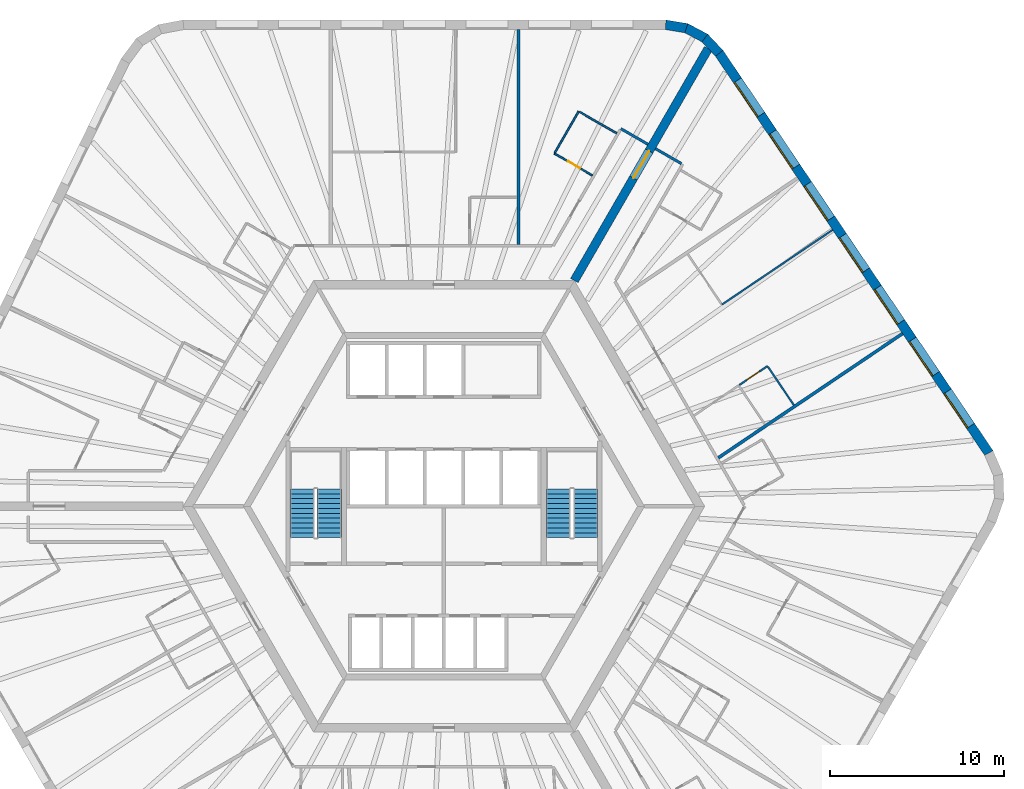
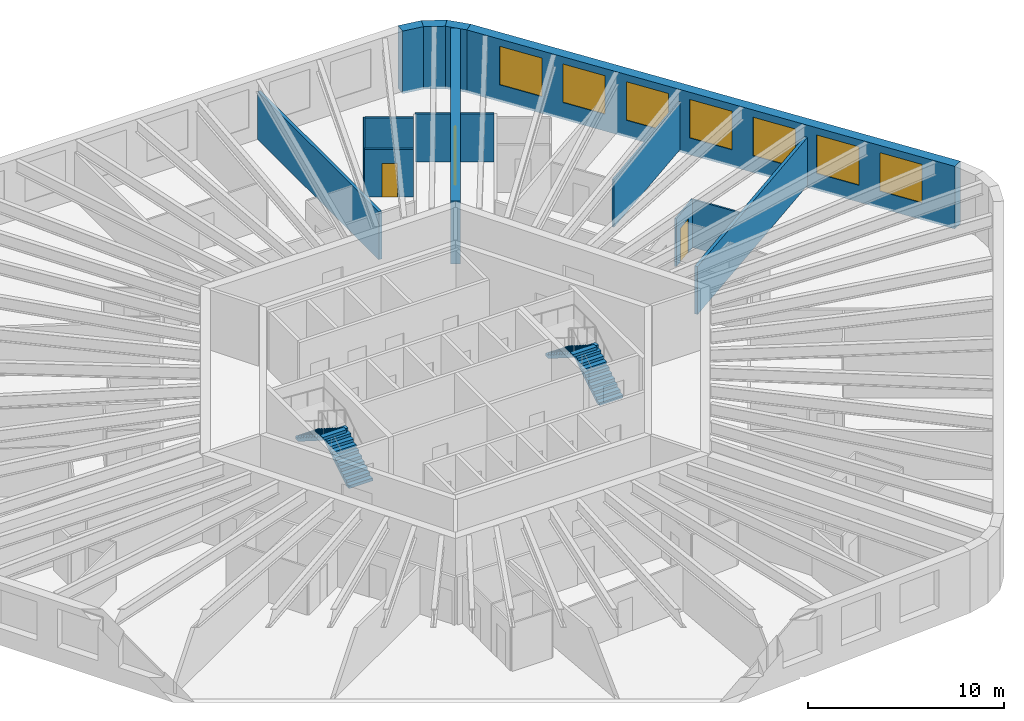
# One storey, part 9 of 10: 15 walls, 7 windows, 4 stair flights, 3 doors, 10 openings, 2 elements without a shape of their own.
"""IFC4 building model written with IfcOpenShell, lengths in metres."""

from ifc_helpers import new_model, si_unit, direction, frame, frame_2d, origin, place, context, subcontext, project, spatial, polyline, rectangle, outline, extrude, material, layer, layer_set, type_object, element, fill, aggregate, save


model = new_model("IFC4")

# Units and contexts
model_context = context("Model", 3, precision=1e-05, world=origin(), true_north=direction((0.0, 1.0)))
body_context = subcontext(model_context, "Body", "Model", "MODEL_VIEW")
ifc_project = project(units=[si_unit("LENGTHUNIT", "METRE"), si_unit("AREAUNIT", "SQUARE_METRE"), si_unit("VOLUMEUNIT", "CUBIC_METRE"), si_unit("PLANEANGLEUNIT", "RADIAN"), si_unit("MASSUNIT", "GRAM", prefix="KILO")], contexts=[model_context])

# Site, building, storey
site_placement = place(None, origin())
site = spatial("IfcSite", under=ifc_project, at=site_placement, CompositionType="ELEMENT")
building_placement = place(site_placement, origin())
building = spatial("IfcBuilding", under=site, at=building_placement, Name="Tarnside Tower", CompositionType="ELEMENT")
storey_placement = place(building_placement, frame((0.0, 0.0, 187.800048828125)))
storey = spatial("IfcBuildingStorey", under=building, at=storey_placement, Name="L44", CompositionType="ELEMENT", Elevation=187.800048828125)

# Wall, opening, door
ifc_material_1 = material(Name="Gypsum board partition on steel studs", Category="steel")
ifc_layer_1 = layer(ifc_material_1, 0.10009765625)
ifc_layer_set_1 = layer_set([ifc_layer_1], Name="Bathroom wall 100")
wall_type_1 = type_object("IfcWallType", Name="Bathroom wall 100", PredefinedType="PARTITIONING", material=ifc_layer_set_1)
wall_1_placement = place(storey_placement, frame((8.546142578125, 19.052490234375, 0.0), z_axis=(0.0, 0.0, 1.0), x_axis=(-0.866039067339, 0.499976333282, 0.0)))
wall_1 = element("IfcWall", 1, at=wall_1_placement, inside=storey, type_object=wall_type_1, Name="Bathroom wall 14053", PredefinedType="PARTITIONING", context=body_context, shape_type="SweptSolid", body=[
    extrude(rectangle(XDim=2.52490234375, YDim=0.10009765625, at=frame_2d((1.262451171875, 0.0))), origin(), (0.0, 0.0, 1.0), 2.98779296875),
])
opening_1_placement = place(wall_1_placement, frame((0.824951171875, 0.0, 0.0)))
opening_1 = element("IfcOpeningElement", 2, at=opening_1_placement, cuts=wall_1, Name="Opening D-B1", PredefinedType="OPENING", context=body_context, shape_type="SweptSolid", body=[
    extrude(rectangle(XDim=0.800048828125, YDim=2.10009765625, at=frame_2d((0.39990234375, 1.050048828125))), frame((0.0, 0.06005859375, 0.0), z_axis=(0.0, -1.0, 0.0), x_axis=(1.0, 0.0, 0.0)), (0.0, 0.0, 1.0), 0.1201171875),
])
ifc_material_2 = material(Name="Timber door leaf", Category="wood")
door_type_1 = type_object("IfcDoorType", Name="Bathroom door 800", OperationType="NOTDEFINED", PredefinedType="DOOR", material=ifc_material_2)
door_1_placement = place(opening_1_placement, origin())
door_1 = element("IfcDoor", 3, at=door_1_placement, inside=storey, type_object=door_type_1, Name="Bathroom door 14002", OperationType="SINGLE_SWING_RIGHT", OverallHeight=2.10009765625, OverallWidth=0.800048828125, PredefinedType="DOOR", context=body_context, shape_type="SweptSolid", body=[
    extrude(rectangle(XDim=0.800048828125, YDim=2.10009765625, at=frame_2d((0.39990234375, 1.050048828125))), frame((0.0, 0.02490234375, 0.0), z_axis=(0.0, -1.0, 0.0), x_axis=(1.0, 0.0, 0.0)), (0.0, 0.0, 1.0), 0.050048828125),
])
fill(opening_1, door_1)

# Walls
wall_2_placement = place(storey_placement, frame((6.384521484375, 20.358154296875, 0.0), z_axis=(0.0, 0.0, 1.0), x_axis=(0.499996545922, 0.866027397988, 0.0)))
element("IfcWall", 4, at=wall_2_placement, inside=storey, type_object=wall_type_1, Name="Bathroom wall 14054", PredefinedType="PARTITIONING", context=body_context, shape_type="SweptSolid", body=[
    extrude(rectangle(XDim=2.75, YDim=0.10009765625, at=frame_2d((1.375, 0.0))), origin(), (0.0, 0.0, 1.0), 2.98779296875),
])
wall_3_placement = place(storey_placement, frame((7.802734375, 22.71484375, 0.0), z_axis=(0.0, 0.0, 1.0), x_axis=(0.866006523861, -0.500032699561, 0.0)))
element("IfcWall", 5, at=wall_3_placement, inside=storey, type_object=wall_type_1, Name="Bathroom wall 14055", PredefinedType="PARTITIONING", context=body_context, shape_type="SweptSolid", body=[
    extrude(rectangle(XDim=2.474853515625, YDim=0.10009765625, at=frame_2d((1.2373046875, 0.0))), origin(), (0.0, 0.0, 1.0), 2.98779296875),
])

# Wall, opening, door
ifc_material_3 = material(Name="Concrete C70/85", Category="concrete")
ifc_layer_2 = layer(ifc_material_3, 0.5)
ifc_layer_set_2 = layer_set([ifc_layer_2], Name="Core wall Z2 500 C70/85")
wall_type_2 = type_object("IfcWallType", Name="Core wall Z2 500 C70/85", PredefinedType="SHEAR", material=ifc_layer_set_2)
wall_4_placement = place(storey_placement, frame((7.505615234375, 13.0, -0.150146484375), z_axis=(0.0, 0.0, 1.0), x_axis=(0.499988271576, 0.866032175087, 0.0)))
wall_4 = element("IfcWall", 6, at=wall_4_placement, inside=storey, type_object=wall_type_2, Name="L44 spine wall 1", PredefinedType="SHEAR", context=body_context, shape_type="SweptSolid", body=[
    extrude(rectangle(XDim=15.423583984375, YDim=0.5, at=frame_2d((7.7119140625, 0.0))), origin(), (0.0, 0.0, 1.0), 3.900146484375),
])
opening_2_placement = place(wall_4_placement, frame((6.811767578125, 0.0, 0.14990234375)))
opening_2 = element("IfcOpeningElement", 7, at=opening_2_placement, cuts=wall_4, Name="Opening CD-SPN", PredefinedType="OPENING", context=body_context, shape_type="SweptSolid", body=[
    extrude(rectangle(XDim=1.800048828125, YDim=2.39990234375, at=frame_2d((0.89990234375, 1.199951171875))), frame((0.0, 0.260009765625, 0.0), z_axis=(0.0, -1.0, 0.0), x_axis=(1.0, 0.0, 0.0)), (0.0, 0.0, 1.0), 0.52001953125),
])
ifc_material_4 = material(Name="Steel fire door", Category="steel")
door_type_2 = type_object("IfcDoorType", Name="Spine passage double door FD60 1800x2400", OperationType="NOTDEFINED", PredefinedType="DOOR", material=ifc_material_4)
door_2_placement = place(opening_2_placement, origin())
door_2 = element("IfcDoor", 8, at=door_2_placement, inside=storey, type_object=door_type_2, Name="L44 spine passage door 1", OperationType="DOUBLE_DOOR_SINGLE_SWING", OverallHeight=2.39990234375, OverallWidth=1.800048828125, PredefinedType="DOOR", context=body_context, shape_type="SweptSolid", body=[
    extrude(rectangle(XDim=1.800048828125, YDim=2.39990234375, at=frame_2d((0.89990234375, 1.199951171875))), frame((0.0, 0.02490234375, 0.0), z_axis=(0.0, -1.0, 0.0), x_axis=(1.0, 0.0, 0.0)), (0.0, 0.0, 1.0), 0.050048828125),
])
fill(opening_2, door_2)

# Walls
ifc_layer_3 = layer(ifc_material_1, 0.14990234375)
ifc_layer_set_3 = layer_set([ifc_layer_3], Name="Corridor wall 150 EI 60")
wall_type_3 = type_object("IfcWallType", Name="Corridor wall 150 EI 60", PredefinedType="PARTITIONING", material=ifc_layer_set_3)
wall_5_placement = place(storey_placement, frame((11.744873046875, 20.8427734375, 0.0), z_axis=(0.0, 0.0, 1.0), x_axis=(-0.865989075817, 0.500062916607, 0.0)))
element("IfcWall", 9, at=wall_5_placement, inside=storey, type_object=wall_type_3, Name="Corridor wall 14003", PredefinedType="PARTITIONING", context=body_context, shape_type="SweptSolid", body=[
    extrude(rectangle(XDim=1.800048828125, YDim=0.14990234375, at=frame_2d((0.89990234375, 0.0))), origin(), (0.0, 0.0, 1.0), 2.98779296875),
])
wall_6_placement = place(storey_placement, frame((13.671875, 19.73046875, 0.0), z_axis=(0.0, 0.0, 1.0), x_axis=(-0.866074815912, 0.499914405916, 0.0)))
element("IfcWall", 10, at=wall_6_placement, inside=storey, type_object=wall_type_3, Name="Corridor wall 14051", PredefinedType="PARTITIONING", context=body_context, shape_type="SweptSolid", body=[
    extrude(rectangle(XDim=1.724853515625, YDim=0.14990234375, at=frame_2d((0.8623046875, 0.0))), origin(), (0.0, 0.0, 1.0), 2.98779296875),
])
ifc_layer_4 = layer(ifc_material_1, 0.179931640625)
ifc_layer_set_4 = layer_set([ifc_layer_4], Name="Demising wall 180 EI 60")
wall_type_4 = type_object("IfcWallType", Name="Demising wall 180 EI 60", PredefinedType="PARTITIONING", material=ifc_layer_set_4)
wall_7_placement = place(storey_placement, frame((4.2822265625, 27.449951171875, 0.0), z_axis=(0.0, 0.0, 1.0), x_axis=(0.0, -1.0, 0.0)))
element("IfcWall", 11, at=wall_7_placement, inside=storey, type_object=wall_type_4, Name="Demising wall 14056", PredefinedType="PARTITIONING", context=body_context, shape_type="SweptSolid", body=[
    extrude(rectangle(XDim=12.375, YDim=0.179931640625, at=frame_2d((6.1875, 0.0))), origin(), (0.0, 0.0, 1.0), 2.98779296875),
])
wall_8_placement = place(storey_placement, frame((26.40185546875, 9.9462890625, 0.0), z_axis=(0.0, 0.0, 1.0), x_axis=(-0.829037771727, -0.559192608187, 0.0)))
element("IfcWall", 12, at=wall_8_placement, inside=storey, type_object=wall_type_4, Name="Demising wall 14117", PredefinedType="PARTITIONING", context=body_context, shape_type="SweptSolid", body=[
    extrude(rectangle(XDim=12.7939453125, YDim=0.179931640625, at=frame_2d((6.39697265625, 0.0))), origin(), (0.0, 0.0, 1.0), 2.98779296875),
])

# Wall, opening, door
ifc_layer_5 = layer(ifc_material_1, 0.10009765625)
ifc_layer_set_5 = layer_set([ifc_layer_5], Name="Partition 100")
wall_type_5 = type_object("IfcWallType", Name="Partition 100", PredefinedType="PARTITIONING", material=ifc_layer_set_5)
wall_9_placement = place(storey_placement, frame((17.0087890625, 6.98779296875, 0.0), z_axis=(0.0, 0.0, 1.0), x_axis=(0.828974932022, 0.559285760662, 0.0)))
wall_9 = element("IfcWall", 13, at=wall_9_placement, inside=storey, type_object=wall_type_5, Name="Partition wall 14121", PredefinedType="PARTITIONING", context=body_context, shape_type="SweptSolid", body=[
    extrude(rectangle(XDim=1.949951171875, YDim=0.10009765625, at=frame_2d((0.97509765625, 0.0))), origin(), (0.0, 0.0, 1.0), 2.98779296875),
])
opening_3_placement = place(wall_9_placement, frame((0.5, 0.0, 0.0)))
opening_3 = element("IfcOpeningElement", 14, at=opening_3_placement, cuts=wall_9, Name="Opening D-I1", PredefinedType="OPENING", context=body_context, shape_type="SweptSolid", body=[
    extrude(rectangle(XDim=0.89990234375, YDim=2.10009765625, at=frame_2d((0.449951171875, 1.050048828125))), frame((0.0, 0.06005859375, 0.0), z_axis=(0.0, -1.0, 0.0), x_axis=(1.0, 0.0, 0.0)), (0.0, 0.0, 1.0), 0.1201171875),
])
door_type_3 = type_object("IfcDoorType", Name="Internal door 900", OperationType="NOTDEFINED", PredefinedType="DOOR", material=ifc_material_2)
door_3_placement = place(opening_3_placement, origin())
door_3 = element("IfcDoor", 15, at=door_3_placement, inside=storey, type_object=door_type_3, Name="Internal door 14035", OperationType="SINGLE_SWING_RIGHT", OverallHeight=2.10009765625, OverallWidth=0.89990234375, PredefinedType="DOOR", context=body_context, shape_type="SweptSolid", body=[
    extrude(rectangle(XDim=0.89990234375, YDim=2.10009765625, at=frame_2d((0.449951171875, 1.050048828125))), frame((0.0, 0.02490234375, 0.0), z_axis=(0.0, -1.0, 0.0), x_axis=(1.0, 0.0, 0.0)), (0.0, 0.0, 1.0), 0.050048828125),
])
fill(opening_3, door_3)

# Walls
wall_10_placement = place(storey_placement, frame((18.6533203125, 8.036865234375, 0.0), z_axis=(0.0, 0.0, 1.0), x_axis=(0.559203284223, -0.829030570555, 0.0)))
element("IfcWall", 16, at=wall_10_placement, inside=storey, type_object=wall_type_5, Name="Partition wall 14122", PredefinedType="PARTITIONING", context=body_context, shape_type="SweptSolid", body=[
    extrude(rectangle(XDim=2.66015625, YDim=0.10009765625, at=frame_2d((1.330078125, 0.0))), origin(), (0.0, 0.0, 1.0), 2.98779296875),
])
wall_11_placement = place(storey_placement, frame((22.375732421875, 15.915283203125, 0.0), z_axis=(0.0, 0.0, 1.0), x_axis=(-0.829044752643, -0.559182258406, 0.0)))
element("IfcWall", 17, at=wall_11_placement, inside=storey, type_object=wall_type_5, Name="Partition wall 14123", PredefinedType="PARTITIONING", context=body_context, shape_type="SweptSolid", body=[
    extrude(rectangle(XDim=7.691650390625, YDim=0.10009765625, at=frame_2d((3.845703125, 0.0))), origin(), (0.0, 0.0, 1.0), 2.98779296875),
])

# Wall, openings, windows
ifc_material_5 = material(Name="Facing brick", Category="masonry")
ifc_layer_6 = layer(ifc_material_5, 0.10205078125)
ifc_material_6 = material(Name="Concrete C60/75 precast", Category="concrete")
ifc_layer_7 = layer(ifc_material_6, 0.347900390625)
ifc_material_7 = material(Name="Mineral wool insulation")
ifc_layer_8 = layer(ifc_material_7, 0.10009765625)
ifc_layer_set_6 = layer_set([ifc_layer_6, ifc_layer_7, ifc_layer_8], Name="Tube wall 550 brick faced")
wall_type_6 = type_object("IfcWallType", Name="Tube wall 550 brick faced", PredefinedType="SOLIDWALL", material=ifc_layer_set_6)
wall_12_placement = place(storey_placement, frame((31.37109375, 3.070556640625, -0.150146484375), z_axis=(0.0, 0.0, 1.0), x_axis=(-0.559189891278, 0.829039604297, 0.0)))
wall_12 = element("IfcWall", 18, at=wall_12_placement, inside=storey, type_object=wall_type_6, Name="Tube wall L44 F6 flush 20", PredefinedType="SOLIDWALL", context=body_context, shape_type="SweptSolid", body=[
    extrude(outline(polyline([(-0.025634765625, -0.27490234375), (27.780517578125, -0.27490234375), (27.735595703125, 0.27490234375), (0.025634765625, 0.27490234375), (-0.025634765625, -0.27490234375)])), origin(), (0.0, 0.0, 1.0), 3.900146484375),
])
opening_4_placement = place(wall_12_placement, frame((1.87890625, 0.0, 1.050048828125)))
opening_4 = element("IfcOpeningElement", 19, at=opening_4_placement, cuts=wall_12, Name="Opening WH", PredefinedType="OPENING", context=body_context, shape_type="SweptSolid", body=[
    extrude(rectangle(XDim=2.39990234375, YDim=2.39990234375, at=frame_2d((1.199951171875, 1.199951171875))), frame((0.0, 0.28515625, 0.0), z_axis=(0.0, -1.0, 0.0), x_axis=(1.0, 0.0, 0.0)), (0.0, 0.0, 1.0), 0.570068359375),
])
opening_5_placement = place(wall_12_placement, frame((5.47900390625, 0.0, 1.050048828125)))
opening_5 = element("IfcOpeningElement", 20, at=opening_5_placement, cuts=wall_12, Name="Opening WH", PredefinedType="OPENING", context=body_context, shape_type="SweptSolid", body=[
    extrude(rectangle(XDim=2.39990234375, YDim=2.39990234375, at=frame_2d((1.199951171875, 1.199951171875))), frame((0.0, 0.28515625, 0.0), z_axis=(0.0, -1.0, 0.0), x_axis=(1.0, 0.0, 0.0)), (0.0, 0.0, 1.0), 0.570068359375),
])
opening_6_placement = place(wall_12_placement, frame((9.078857421875, 0.0, 1.050048828125)))
opening_6 = element("IfcOpeningElement", 21, at=opening_6_placement, cuts=wall_12, Name="Opening WH", PredefinedType="OPENING", context=body_context, shape_type="SweptSolid", body=[
    extrude(rectangle(XDim=2.39990234375, YDim=2.39990234375, at=frame_2d((1.199951171875, 1.199951171875))), frame((0.0, 0.28515625, 0.0), z_axis=(0.0, -1.0, 0.0), x_axis=(1.0, 0.0, 0.0)), (0.0, 0.0, 1.0), 0.570068359375),
])
opening_7_placement = place(wall_12_placement, frame((12.678955078125, 0.0, 1.050048828125)))
opening_7 = element("IfcOpeningElement", 22, at=opening_7_placement, cuts=wall_12, Name="Opening WH", PredefinedType="OPENING", context=body_context, shape_type="SweptSolid", body=[
    extrude(rectangle(XDim=2.39990234375, YDim=2.39990234375, at=frame_2d((1.199951171875, 1.199951171875))), frame((0.0, 0.28515625, 0.0), z_axis=(0.0, -1.0, 0.0), x_axis=(1.0, 0.0, 0.0)), (0.0, 0.0, 1.0), 0.570068359375),
])
opening_8_placement = place(wall_12_placement, frame((16.27880859375, 0.0, 1.050048828125)))
opening_8 = element("IfcOpeningElement", 23, at=opening_8_placement, cuts=wall_12, Name="Opening WH", PredefinedType="OPENING", context=body_context, shape_type="SweptSolid", body=[
    extrude(rectangle(XDim=2.39990234375, YDim=2.39990234375, at=frame_2d((1.199951171875, 1.199951171875))), frame((0.0, 0.28515625, 0.0), z_axis=(0.0, -1.0, 0.0), x_axis=(1.0, 0.0, 0.0)), (0.0, 0.0, 1.0), 0.570068359375),
])
opening_9_placement = place(wall_12_placement, frame((19.87890625, 0.0, 1.050048828125)))
opening_9 = element("IfcOpeningElement", 24, at=opening_9_placement, cuts=wall_12, Name="Opening WH", PredefinedType="OPENING", context=body_context, shape_type="SweptSolid", body=[
    extrude(rectangle(XDim=2.39990234375, YDim=2.39990234375, at=frame_2d((1.199951171875, 1.199951171875))), frame((0.0, 0.28515625, 0.0), z_axis=(0.0, -1.0, 0.0), x_axis=(1.0, 0.0, 0.0)), (0.0, 0.0, 1.0), 0.570068359375),
])
opening_10_placement = place(wall_12_placement, frame((23.47900390625, 0.0, 1.050048828125)))
opening_10 = element("IfcOpeningElement", 25, at=opening_10_placement, cuts=wall_12, Name="Opening WH", PredefinedType="OPENING", context=body_context, shape_type="SweptSolid", body=[
    extrude(rectangle(XDim=2.39990234375, YDim=2.39990234375, at=frame_2d((1.199951171875, 1.199951171875))), frame((0.0, 0.28515625, 0.0), z_axis=(0.0, -1.0, 0.0), x_axis=(1.0, 0.0, 0.0)), (0.0, 0.0, 1.0), 0.570068359375),
])
ifc_material_8 = material(Name="Aluminium-framed double glazing", Category="aluminium")
window_type = type_object("IfcWindowType", Name="Hotel window 2400 x 2400", PartitioningType="DOUBLE_PANEL_VERTICAL", PredefinedType="WINDOW", material=ifc_material_8)
window_1_placement = place(opening_4_placement, frame((0.0, 0.205078125, 0.0)))
window_1 = element("IfcWindow", 26, at=window_1_placement, inside=storey, type_object=window_type, Name="E.WN.L44.F6.00", OverallHeight=2.39990234375, OverallWidth=2.39990234375, PartitioningType="DOUBLE_PANEL_VERTICAL", PredefinedType="WINDOW", context=body_context, shape_type="SweptSolid", body=[
    extrude(rectangle(XDim=2.39990234375, YDim=2.39990234375, at=frame_2d((1.199951171875, 1.199951171875))), frame((0.0, 0.030029296875, 0.0), z_axis=(0.0, -1.0, 0.0), x_axis=(1.0, 0.0, 0.0)), (0.0, 0.0, 1.0), 0.06005859375),
])
fill(opening_4, window_1)
window_2_placement = place(opening_5_placement, frame((0.0, 0.205078125, 0.0)))
window_2 = element("IfcWindow", 27, at=window_2_placement, inside=storey, type_object=window_type, Name="E.WN.L44.F6.01", OverallHeight=2.39990234375, OverallWidth=2.39990234375, PartitioningType="DOUBLE_PANEL_VERTICAL", PredefinedType="WINDOW", context=body_context, shape_type="SweptSolid", body=[
    extrude(rectangle(XDim=2.39990234375, YDim=2.39990234375, at=frame_2d((1.199951171875, 1.199951171875))), frame((0.0, 0.030029296875, 0.0), z_axis=(0.0, -1.0, 0.0), x_axis=(1.0, 0.0, 0.0)), (0.0, 0.0, 1.0), 0.06005859375),
])
fill(opening_5, window_2)
window_3_placement = place(opening_6_placement, frame((0.0, 0.205078125, 0.0)))
window_3 = element("IfcWindow", 28, at=window_3_placement, inside=storey, type_object=window_type, Name="E.WN.L44.F6.02", OverallHeight=2.39990234375, OverallWidth=2.39990234375, PartitioningType="DOUBLE_PANEL_VERTICAL", PredefinedType="WINDOW", context=body_context, shape_type="SweptSolid", body=[
    extrude(rectangle(XDim=2.39990234375, YDim=2.39990234375, at=frame_2d((1.199951171875, 1.199951171875))), frame((0.0, 0.030029296875, 0.0), z_axis=(0.0, -1.0, 0.0), x_axis=(1.0, 0.0, 0.0)), (0.0, 0.0, 1.0), 0.06005859375),
])
fill(opening_6, window_3)
window_4_placement = place(opening_7_placement, frame((0.0, 0.205078125, 0.0)))
window_4 = element("IfcWindow", 29, at=window_4_placement, inside=storey, type_object=window_type, Name="E.WN.L44.F6.03", OverallHeight=2.39990234375, OverallWidth=2.39990234375, PartitioningType="DOUBLE_PANEL_VERTICAL", PredefinedType="WINDOW", context=body_context, shape_type="SweptSolid", body=[
    extrude(rectangle(XDim=2.39990234375, YDim=2.39990234375, at=frame_2d((1.199951171875, 1.199951171875))), frame((0.0, 0.030029296875, 0.0), z_axis=(0.0, -1.0, 0.0), x_axis=(1.0, 0.0, 0.0)), (0.0, 0.0, 1.0), 0.06005859375),
])
fill(opening_7, window_4)
window_5_placement = place(opening_8_placement, frame((0.0, 0.205078125, 0.0)))
window_5 = element("IfcWindow", 30, at=window_5_placement, inside=storey, type_object=window_type, Name="E.WN.L44.F6.04", OverallHeight=2.39990234375, OverallWidth=2.39990234375, PartitioningType="DOUBLE_PANEL_VERTICAL", PredefinedType="WINDOW", context=body_context, shape_type="SweptSolid", body=[
    extrude(rectangle(XDim=2.39990234375, YDim=2.39990234375, at=frame_2d((1.199951171875, 1.199951171875))), frame((0.0, 0.030029296875, 0.0), z_axis=(0.0, -1.0, 0.0), x_axis=(1.0, 0.0, 0.0)), (0.0, 0.0, 1.0), 0.06005859375),
])
fill(opening_8, window_5)
window_6_placement = place(opening_9_placement, frame((0.0, 0.205078125, 0.0)))
window_6 = element("IfcWindow", 31, at=window_6_placement, inside=storey, type_object=window_type, Name="E.WN.L44.F6.05", OverallHeight=2.39990234375, OverallWidth=2.39990234375, PartitioningType="DOUBLE_PANEL_VERTICAL", PredefinedType="WINDOW", context=body_context, shape_type="SweptSolid", body=[
    extrude(rectangle(XDim=2.39990234375, YDim=2.39990234375, at=frame_2d((1.199951171875, 1.199951171875))), frame((0.0, 0.030029296875, 0.0), z_axis=(0.0, -1.0, 0.0), x_axis=(1.0, 0.0, 0.0)), (0.0, 0.0, 1.0), 0.06005859375),
])
fill(opening_9, window_6)
window_7_placement = place(opening_10_placement, frame((0.0, 0.205078125, 0.0)))
window_7 = element("IfcWindow", 32, at=window_7_placement, inside=storey, type_object=window_type, Name="E.WN.L44.F6.06", OverallHeight=2.39990234375, OverallWidth=2.39990234375, PartitioningType="DOUBLE_PANEL_VERTICAL", PredefinedType="WINDOW", context=body_context, shape_type="SweptSolid", body=[
    extrude(rectangle(XDim=2.39990234375, YDim=2.39990234375, at=frame_2d((1.199951171875, 1.199951171875))), frame((0.0, 0.030029296875, 0.0), z_axis=(0.0, -1.0, 0.0), x_axis=(1.0, 0.0, 0.0)), (0.0, 0.0, 1.0), 0.06005859375),
])
fill(opening_10, window_7)

# Walls
wall_13_placement = place(storey_placement, frame((15.84912109375, 26.0830078125, -0.150146484375), z_axis=(0.0, 0.0, 1.0), x_axis=(-0.686196220404, 0.727416488061, 0.0)))
element("IfcWall", 33, at=wall_13_placement, inside=storey, type_object=wall_type_6, Name="Tube wall L44 F6 chord 21", PredefinedType="SOLIDWALL", context=body_context, shape_type="SweptSolid", body=[
    extrude(outline(polyline([(-0.0224609375, -0.27490234375), (1.25341796875, -0.27490234375), (1.1630859375, 0.27490234375), (0.0224609375, 0.27490234375), (-0.0224609375, -0.27490234375)])), origin(), (0.0, 0.0, 1.0), 3.900146484375),
])
wall_14_placement = place(storey_placement, frame((15.02001953125, 26.9619140625, -0.150146484375), z_axis=(0.0, 0.0, 1.0), x_axis=(-0.882950818639, 0.469465495926, 0.0)))
element("IfcWall", 34, at=wall_14_placement, inside=storey, type_object=wall_type_6, Name="Tube wall L44 F6 chord 22", PredefinedType="SOLIDWALL", context=body_context, shape_type="SweptSolid", body=[
    extrude(outline(polyline([(-0.045166015625, -0.27490234375), (1.253173828125, -0.27490234375), (1.162841796875, 0.27490234375), (0.045166015625, 0.27490234375), (-0.045166015625, -0.27490234375)])), origin(), (0.0, 0.0, 1.0), 3.900146484375),
])
wall_15_placement = place(storey_placement, frame((13.953369140625, 27.529052734375, -0.150146484375), z_axis=(0.0, 0.0, 1.0), x_axis=(-0.986751945211, 0.162236243244, 0.0)))
element("IfcWall", 35, at=wall_15_placement, inside=storey, type_object=wall_type_6, Name="Tube wall L44 F6 chord 23", PredefinedType="SOLIDWALL", context=body_context, shape_type="SweptSolid", body=[
    extrude(outline(polyline([(-0.045166015625, -0.27490234375), (1.23095703125, -0.27490234375), (1.18603515625, 0.27490234375), (0.045166015625, 0.27490234375), (-0.045166015625, -0.27490234375)])), origin(), (0.0, 0.0, 1.0), 3.900146484375),
])

# Stair, stair flights
ifc_material_9 = material(Name="Concrete C40/50", Category="concrete")
stair_type = type_object("IfcStairType", Name="Exit stair 1400 clear", PredefinedType="HALF_TURN_STAIR", material=ifc_material_9)
stair_1_placement = place(storey_placement, origin())
stair_1 = element("IfcStair", 36, at=stair_1_placement, inside=storey, type_object=stair_type, Name="L44 Exit stair 1", PredefinedType="HALF_TURN_STAIR")
stair_flight_type = type_object("IfcStairFlightType", Name="Exit stair flight 1400", PredefinedType="STRAIGHT", material=ifc_material_9)
stair_flight_1_placement = place(storey_placement, frame((8.14990234375, -1.800048828125, 0.0), z_axis=(0.0, 0.0, 1.0), x_axis=(0.0, 1.0, 0.0)))
stair_flight_1 = element("IfcStairFlight", 37, at=stair_flight_1_placement, type_object=stair_flight_type, Name="ST1 flight 1", NumberOfRisers=11, NumberOfTreads=10, PredefinedType="STRAIGHT", RiserHeight=0.177272727, TreadLength=0.28, context=body_context, shape_type="SweptSolid", body=[
    extrude(outline(polyline([(0.0, 0.0), (0.0, 0.17724609375), (0.280029296875, 0.17724609375), (0.280029296875, 0.3544921875), (0.56005859375, 0.3544921875), (0.56005859375, 0.53173828125), (0.840087890625, 0.53173828125), (0.840087890625, 0.708984375), (1.1201171875, 0.708984375), (1.1201171875, 0.886474609375), (1.39990234375, 0.886474609375), (1.39990234375, 1.063720703125), (1.679931640625, 1.063720703125), (1.679931640625, 1.240966796875), (1.9599609375, 1.240966796875), (1.9599609375, 1.418212890625), (2.239990234375, 1.418212890625), (2.239990234375, 1.595458984375), (2.52001953125, 1.595458984375), (2.52001953125, 1.772705078125), (2.800048828125, 1.772705078125), (2.800048828125, 1.949951171875), (2.800048828125, 1.59521484375), (0.2802734375, 0.0), (0.0, 0.0)])), frame((0.0, 0.699951171875, 0.0), z_axis=(0.0, -1.0, 0.0), x_axis=(1.0, 0.0, 0.0)), (0.0, 0.0, 1.0), 1.39990234375),
])
stair_flight_2_placement = place(storey_placement, frame((6.60009765625, 1.0, 1.949951171875), z_axis=(0.0, 0.0, 1.0), x_axis=(0.0, -1.0, 0.0)))
stair_flight_2 = element("IfcStairFlight", 38, at=stair_flight_2_placement, type_object=stair_flight_type, Name="ST1 flight 2", NumberOfRisers=11, NumberOfTreads=10, PredefinedType="STRAIGHT", RiserHeight=0.177272727, TreadLength=0.28, context=body_context, shape_type="SweptSolid", body=[
    extrude(outline(polyline([(0.0, 0.0), (0.0, 0.17724609375), (0.280029296875, 0.17724609375), (0.280029296875, 0.3544921875), (0.56005859375, 0.3544921875), (0.56005859375, 0.53173828125), (0.840087890625, 0.53173828125), (0.840087890625, 0.708984375), (1.1201171875, 0.708984375), (1.1201171875, 0.886474609375), (1.39990234375, 0.886474609375), (1.39990234375, 1.063720703125), (1.679931640625, 1.063720703125), (1.679931640625, 1.240966796875), (1.9599609375, 1.240966796875), (1.9599609375, 1.418212890625), (2.239990234375, 1.418212890625), (2.239990234375, 1.595458984375), (2.52001953125, 1.595458984375), (2.52001953125, 1.772705078125), (2.800048828125, 1.772705078125), (2.800048828125, 1.949951171875), (2.800048828125, 1.59521484375), (0.2802734375, 0.0), (0.0, 0.0)])), frame((0.0, 0.699951171875, 0.0), z_axis=(0.0, -1.0, 0.0), x_axis=(1.0, 0.0, 0.0)), (0.0, 0.0, 1.0), 1.39990234375),
])
aggregate(stair_1, [stair_flight_1, stair_flight_2])

stair_2_placement = place(storey_placement, origin())
stair_2 = element("IfcStair", 39, at=stair_2_placement, inside=storey, type_object=stair_type, Name="L44 Exit stair 2", PredefinedType="HALF_TURN_STAIR")
stair_flight_3_placement = place(storey_placement, frame((-6.60009765625, -1.800048828125, 0.0), z_axis=(0.0, 0.0, 1.0), x_axis=(0.0, 1.0, 0.0)))
stair_flight_3 = element("IfcStairFlight", 40, at=stair_flight_3_placement, type_object=stair_flight_type, Name="ST2 flight 1", NumberOfRisers=11, NumberOfTreads=10, PredefinedType="STRAIGHT", RiserHeight=0.177272727, TreadLength=0.28, context=body_context, shape_type="SweptSolid", body=[
    extrude(outline(polyline([(0.0, 0.0), (0.0, 0.17724609375), (0.280029296875, 0.17724609375), (0.280029296875, 0.3544921875), (0.56005859375, 0.3544921875), (0.56005859375, 0.53173828125), (0.840087890625, 0.53173828125), (0.840087890625, 0.708984375), (1.1201171875, 0.708984375), (1.1201171875, 0.886474609375), (1.39990234375, 0.886474609375), (1.39990234375, 1.063720703125), (1.679931640625, 1.063720703125), (1.679931640625, 1.240966796875), (1.9599609375, 1.240966796875), (1.9599609375, 1.418212890625), (2.239990234375, 1.418212890625), (2.239990234375, 1.595458984375), (2.52001953125, 1.595458984375), (2.52001953125, 1.772705078125), (2.800048828125, 1.772705078125), (2.800048828125, 1.949951171875), (2.800048828125, 1.59521484375), (0.2802734375, 0.0), (0.0, 0.0)])), frame((0.0, 0.699951171875, 0.0), z_axis=(0.0, -1.0, 0.0), x_axis=(1.0, 0.0, 0.0)), (0.0, 0.0, 1.0), 1.39990234375),
])
stair_flight_4_placement = place(storey_placement, frame((-8.14990234375, 1.0, 1.949951171875), z_axis=(0.0, 0.0, 1.0), x_axis=(0.0, -1.0, 0.0)))
stair_flight_4 = element("IfcStairFlight", 41, at=stair_flight_4_placement, type_object=stair_flight_type, Name="ST2 flight 2", NumberOfRisers=11, NumberOfTreads=10, PredefinedType="STRAIGHT", RiserHeight=0.177272727, TreadLength=0.28, context=body_context, shape_type="SweptSolid", body=[
    extrude(outline(polyline([(0.0, 0.0), (0.0, 0.17724609375), (0.280029296875, 0.17724609375), (0.280029296875, 0.3544921875), (0.56005859375, 0.3544921875), (0.56005859375, 0.53173828125), (0.840087890625, 0.53173828125), (0.840087890625, 0.708984375), (1.1201171875, 0.708984375), (1.1201171875, 0.886474609375), (1.39990234375, 0.886474609375), (1.39990234375, 1.063720703125), (1.679931640625, 1.063720703125), (1.679931640625, 1.240966796875), (1.9599609375, 1.240966796875), (1.9599609375, 1.418212890625), (2.239990234375, 1.418212890625), (2.239990234375, 1.595458984375), (2.52001953125, 1.595458984375), (2.52001953125, 1.772705078125), (2.800048828125, 1.772705078125), (2.800048828125, 1.949951171875), (2.800048828125, 1.59521484375), (0.2802734375, 0.0), (0.0, 0.0)])), frame((0.0, 0.699951171875, 0.0), z_axis=(0.0, -1.0, 0.0), x_axis=(1.0, 0.0, 0.0)), (0.0, 0.0, 1.0), 1.39990234375),
])
aggregate(stair_2, [stair_flight_3, stair_flight_4])

save(model, "model.ifc")
